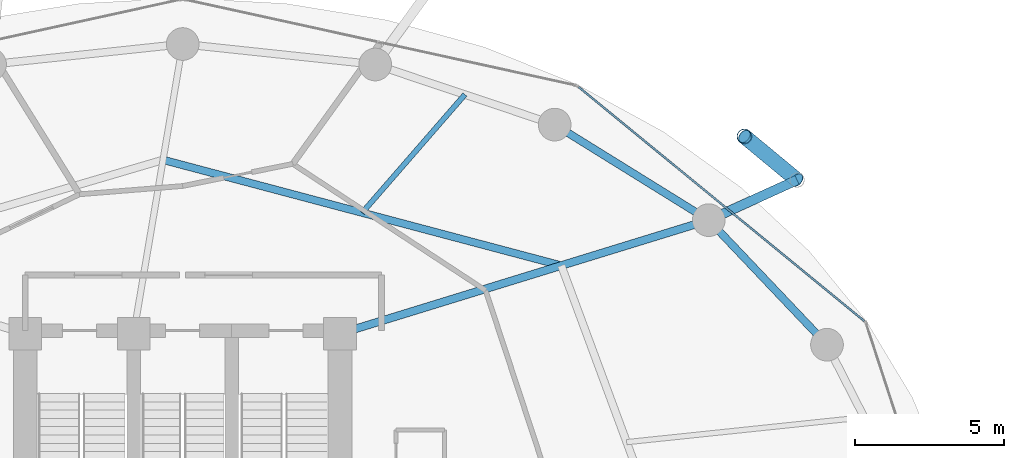
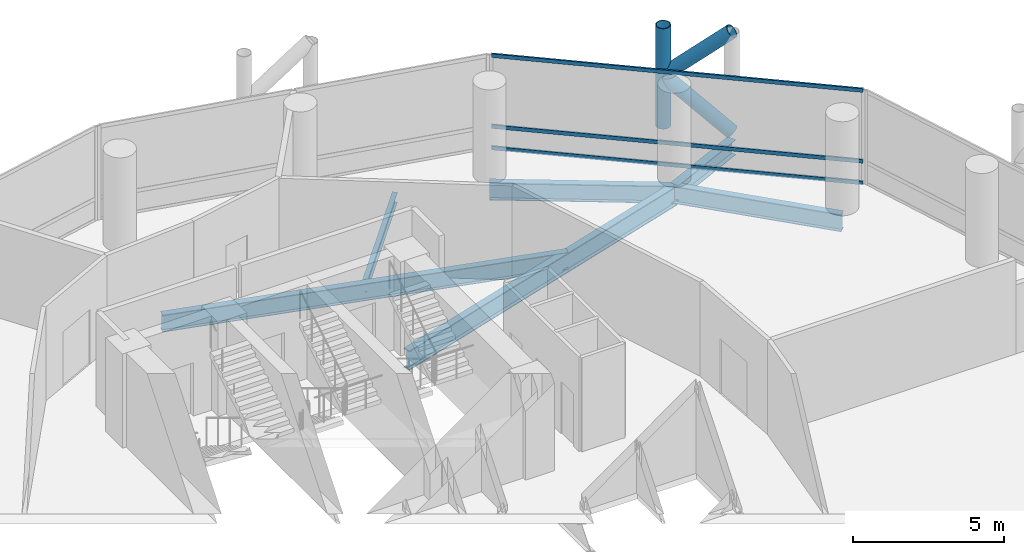
# One storey, part 17 of 24: 6 beams, 6 members, 1 element without a shape of its own.
"""IFC4 building model written with IfcOpenShell, lengths in metres."""

from ifc_helpers import new_model, si_unit, direction, frame, origin, origin_2d, place, context, subcontext, project, spatial, hollow_rectangle, hollow_circle, i_section, extrude, material, layer, layer_set, material_profile, profile_set, type_object, element, aggregate, save


model = new_model("IFC4")

# Units and contexts
model_context = context("Model", 3, precision=1e-05, world=origin(), true_north=direction((0.0, 1.0)))
body_context = subcontext(model_context, "Body", "Model", "MODEL_VIEW")
ifc_project = project(units=[si_unit("LENGTHUNIT", "METRE"), si_unit("AREAUNIT", "SQUARE_METRE"), si_unit("VOLUMEUNIT", "CUBIC_METRE"), si_unit("PLANEANGLEUNIT", "RADIAN"), si_unit("MASSUNIT", "GRAM", prefix="KILO")], contexts=[model_context])

# Site, building, storey
site_placement = place(None, origin())
site = spatial("IfcSite", under=ifc_project, at=site_placement, CompositionType="ELEMENT")
building_placement = place(site_placement, origin())
building = spatial("IfcBuilding", under=site, at=building_placement, Name="Nuhasar Tower", CompositionType="ELEMENT")
storey_placement = place(building_placement, frame((0.0, 0.0, 25.050048828125)))
storey = spatial("IfcBuildingStorey", under=building, at=storey_placement, Name="L05", CompositionType="ELEMENT", Elevation=25.050048828125)

# Beams
ifc_material_1 = material(Name="Steel S355", Category="steel")
ifc_material_profile_1 = material_profile(ifc_material_1, i_section(OverallWidth=0.25390625, OverallDepth=0.68408203125, WebThickness=0.012451171875, FlangeThickness=0.018798828125, at=origin_2d()), Name="W27X94")
ifc_profile_set_1 = profile_set([ifc_material_profile_1], Name="Steel S355")
beam_type_1 = type_object("IfcBeamType", Name="BM-INRING-W27X94", PredefinedType="BEAM", material=ifc_profile_set_1)
beam_1_placement = place(storey_placement, frame((51.748046875, 39.591064453125, -0.60205078125), z_axis=(-0.96653253005, 0.256544086574, 0.0), x_axis=(-0.256544086574, -0.96653253005, 0.0)))
element("IfcBeam", 1, at=beam_1_placement, inside=storey, type_object=beam_type_1, Name="L05 Inner Header Beam 05", PredefinedType="BEAM", context=body_context, shape_type="SweptSolid", body=[
    extrude(i_section(OverallWidth=0.25390625, OverallDepth=0.68408203125, WebThickness=0.012451171875, FlangeThickness=0.018798828125, at=origin_2d()), origin(), (0.0, 0.0, 1.0), 13.872314453125),
])
ifc_material_profile_2 = material_profile(ifc_material_1, i_section(OverallWidth=0.177978515625, OverallDepth=0.406005859375, WebThickness=0.0078125, FlangeThickness=0.0126953125, at=origin_2d()), Name="W16X40")
ifc_profile_set_2 = profile_set([ifc_material_profile_2], Name="Steel S355")
beam_type_2 = type_object("IfcBeamType", Name="BM-JST-W16X40", PredefinedType="JOIST", material=ifc_profile_set_2)
beam_2_placement = place(storey_placement, frame((45.0439453125, 41.3701171875, -0.463134765625), z_axis=(0.656174129694, 0.754609509296, 0.0), x_axis=(-0.754609509296, 0.656174129694, 0.0)))
element("IfcBeam", 2, at=beam_2_placement, inside=storey, type_object=beam_type_2, Name="L05 Secondary Floor Joist 05", PredefinedType="JOIST", context=body_context, shape_type="SweptSolid", body=[
    extrude(i_section(OverallWidth=0.177978515625, OverallDepth=0.406005859375, WebThickness=0.0078125, FlangeThickness=0.0126953125, at=origin_2d()), origin(), (0.0, 0.0, 1.0), 5.27294921875),
])
ifc_material_profile_3 = material_profile(ifc_material_1, i_section(OverallWidth=0.26611328125, OverallDepth=0.779052734375, WebThickness=0.0166015625, FlangeThickness=0.030029296875, at=origin_2d()), Name="W30X148")
ifc_profile_set_3 = profile_set([ifc_material_profile_3], Name="Steel S355")
beam_type_3 = type_object("IfcBeamType", Name="BM-RAD-W30X148", PredefinedType="BEAM", material=ifc_profile_set_3)
beam_3_placement = place(storey_placement, frame((44.300048828125, 37.300048828125, -0.650146484375), z_axis=(0.955789576103, 0.294051502653, 0.0), x_axis=(-0.294051502653, 0.955789576103, 0.0)))
element("IfcBeam", 3, at=beam_3_placement, inside=storey, type_object=beam_type_3, Name="L05 Radial Floor Girder 05", PredefinedType="BEAM", context=body_context, shape_type="SweptSolid", body=[
    extrude(i_section(OverallWidth=0.26611328125, OverallDepth=0.779052734375, WebThickness=0.0166015625, FlangeThickness=0.030029296875, at=origin_2d()), origin(), (0.0, 0.0, 1.0), 12.987060546875),
])
ifc_material_profile_4 = material_profile(ifc_material_1, i_section(OverallWidth=0.256103515625, OverallDepth=0.693115234375, WebThickness=0.014404296875, FlangeThickness=0.023681640625, at=origin_2d()), Name="W27X114")
ifc_profile_set_4 = profile_set([ifc_material_profile_4], Name="Steel S355")
beam_type_4 = type_object("IfcBeamType", Name="BM-RING-W27X114", PredefinedType="SPANDREL", material=ifc_profile_set_4)
beam_4_placement = place(storey_placement, frame((60.694091796875, 36.925048828125, -0.60595703125), z_axis=(-0.688480893507, 0.725254478976, 0.0), x_axis=(-0.725254478976, -0.688480893507, 0.0)))
element("IfcBeam", 4, at=beam_4_placement, inside=storey, type_object=beam_type_4, Name="L05 Perimeter Ring Spandrel 03", PredefinedType="SPANDREL", context=body_context, shape_type="SweptSolid", body=[
    extrude(i_section(OverallWidth=0.256103515625, OverallDepth=0.693115234375, WebThickness=0.014404296875, FlangeThickness=0.023681640625, at=origin_2d()), origin(), (0.0, 0.0, 1.0), 5.782470703125),
])
beam_5_placement = place(storey_placement, frame((56.712890625, 41.118896484375, -0.60595703125), z_axis=(-0.849795216549, 0.527112976439, 0.0), x_axis=(-0.527112976439, -0.849795216549, 0.0)))
element("IfcBeam", 5, at=beam_5_placement, inside=storey, type_object=beam_type_4, Name="L05 Perimeter Ring Spandrel 04", PredefinedType="SPANDREL", context=body_context, shape_type="SweptSolid", body=[
    extrude(i_section(OverallWidth=0.256103515625, OverallDepth=0.693115234375, WebThickness=0.014404296875, FlangeThickness=0.023681640625, at=origin_2d()), origin(), (0.0, 0.0, 1.0), 6.10498046875),
])
ifc_material_profile_5 = material_profile(ifc_material_1, i_section(OverallWidth=0.323974609375, OverallDepth=0.611083984375, WebThickness=0.0126953125, FlangeThickness=0.01904296875, at=origin_2d()), Name="W24X104")
ifc_profile_set_5 = profile_set([ifc_material_profile_5], Name="Steel S355")
beam_type_5 = type_object("IfcBeamType", Name="BM-TIE-W24X104", PredefinedType="BEAM", material=ifc_profile_set_5)
beam_6_placement = place(storey_placement, frame((56.712890625, 41.118896484375, -0.56494140625), z_axis=(0.910243528587, 0.414073325227, 0.0), x_axis=(-0.414073325227, 0.910243528587, 0.0)))
element("IfcBeam", 6, at=beam_6_placement, inside=storey, type_object=beam_type_5, Name="L05 Exoskeleton Node Tie Beam 02", PredefinedType="BEAM", context=body_context, shape_type="SweptSolid", body=[
    extrude(i_section(OverallWidth=0.323974609375, OverallDepth=0.611083984375, WebThickness=0.0126953125, FlangeThickness=0.01904296875, at=origin_2d()), origin(), (0.0, 0.0, 1.0), 3.26513671875),
])

# Curtain wall, members
ifc_material_2 = material(Name="Aluminium 6063-T6", Category="aluminium")
ifc_layer = layer(ifc_material_2, 0.199951171875)
ifc_layer_set = layer_set([ifc_layer], Name="Aluminium 6063-T6")
curtain_wall_type = type_object("IfcCurtainWallType", Name="CW-Z1-OFF", PredefinedType="NOTDEFINED", material=ifc_layer_set)
curtain_wall_placement = place(storey_placement, origin())
curtain_wall = element("IfcCurtainWall", 7, at=curtain_wall_placement, inside=storey, type_object=curtain_wall_type, Name="L05 Unitised Curtain Wall 02", PredefinedType="NOTDEFINED")
ifc_material_profile_6 = material_profile(ifc_material_2, hollow_rectangle(XDim=0.06494140625, YDim=0.14990234375, WallThickness=0.00439453125, at=origin_2d()), Name="CWT-2")
ifc_profile_set_6 = profile_set([ifc_material_profile_6], Name="Aluminium 6063-T6")
member_type_1 = type_object("IfcMemberType", Name="CW-TRN-S2", PredefinedType="USERDEFINED", material=ifc_profile_set_6)
member_1_placement = place(storey_placement, frame((61.95166015625, 37.72119140625, 0.032470703125), z_axis=(-0.773540851599, 0.633746440548, 0.0), x_axis=(-0.633746440548, -0.773540851599, 0.0)))
member_1 = element("IfcMember", 8, at=member_1_placement, type_object=member_type_1, Name="CW-Z1 transom 1.1", ObjectType="TRANSOM", PredefinedType="USERDEFINED", context=body_context, shape_type="SweptSolid", body=[
    extrude(hollow_rectangle(XDim=0.06494140625, YDim=0.14990234375, WallThickness=0.00439453125, at=origin_2d()), origin(), (0.0, 0.0, 1.0), 12.43798828125),
])
member_2_placement = place(storey_placement, frame((61.95166015625, 37.72119140625, 0.89990234375), z_axis=(-0.773540851599, 0.633746440548, 0.0), x_axis=(-0.633746440548, -0.773540851599, 0.0)))
member_2 = element("IfcMember", 9, at=member_2_placement, type_object=member_type_1, Name="CW-Z1 transom 1.2", ObjectType="TRANSOM", PredefinedType="USERDEFINED", context=body_context, shape_type="SweptSolid", body=[
    extrude(hollow_rectangle(XDim=0.06494140625, YDim=0.14990234375, WallThickness=0.00439453125, at=origin_2d()), origin(), (0.0, 0.0, 1.0), 12.43798828125),
])
member_3_placement = place(storey_placement, frame((61.95166015625, 37.72119140625, 3.757568359375), z_axis=(-0.773540851599, 0.633746440548, 0.0), x_axis=(-0.633746440548, -0.773540851599, 0.0)))
member_3 = element("IfcMember", 10, at=member_3_placement, type_object=member_type_1, Name="CW-Z1 transom 1.3", ObjectType="TRANSOM", PredefinedType="USERDEFINED", context=body_context, shape_type="SweptSolid", body=[
    extrude(hollow_rectangle(XDim=0.06494140625, YDim=0.14990234375, WallThickness=0.00439453125, at=origin_2d()), origin(), (0.0, 0.0, 1.0), 12.43798828125),
])
aggregate(curtain_wall, [member_1, member_2, member_3])

# Members
ifc_material_3 = material(Name="Steel S460", Category="steel")
ifc_material_profile_7 = material_profile(ifc_material_3, hollow_circle(Radius=0.25390625, WallThickness=0.025390625, at=origin_2d()), Name="HSS508X25.4")
ifc_profile_set_7 = profile_set([ifc_material_profile_7], Name="Steel S460")
member_type_2 = type_object("IfcMemberType", Name="EXO-BRONZE-508", PredefinedType="BRACE", material=ifc_profile_set_7)
member_4_placement = place(storey_placement, frame((57.9130859375, 43.93896484375, 0.0), z_axis=(0.0, 0.0, 1.0), x_axis=(1.0, 0.0, 0.0)))
element("IfcMember", 11, at=member_4_placement, inside=storey, type_object=member_type_2, Name="L05 Exoskeleton Chord Column EC-02B", PredefinedType="BRACE", context=body_context, shape_type="SweptSolid", body=[
    extrude(hollow_circle(Radius=0.25390625, WallThickness=0.025390625, at=origin_2d()), origin(), (0.0, 0.0, 1.0), 4.050048828125),
])
member_5_placement = place(storey_placement, frame((59.68505859375, 42.470947265625, 0.0), z_axis=(-0.578101613167, 0.478937034992, 0.660619286251), x_axis=(-0.637969333506, -0.770061769929, 0.0)))
element("IfcMember", 12, at=member_5_placement, inside=storey, type_object=member_type_2, Name="L05 Bronze Diagrid Brace W1-02", PredefinedType="BRACE", context=body_context, shape_type="SweptSolid", body=[
    extrude(hollow_circle(Radius=0.25390625, WallThickness=0.025390625, at=origin_2d()), origin(), (0.0, 0.0, 1.0), 3.065185546875),
])
member_6_placement = place(storey_placement, frame((57.9130859375, 43.93896484375, 2.02490234375), z_axis=(0.578071194894, -0.478911834514, 0.660664172175), x_axis=(0.637969333506, 0.770061769929, 0.0)))
element("IfcMember", 13, at=member_6_placement, inside=storey, type_object=member_type_2, Name="L05 Bronze Diagrid Brace W2-02", PredefinedType="BRACE", context=body_context, shape_type="SweptSolid", body=[
    extrude(hollow_circle(Radius=0.25390625, WallThickness=0.025390625, at=origin_2d()), origin(), (0.0, 0.0, 1.0), 3.0654296875),
])

save(model, "model.ifc")
